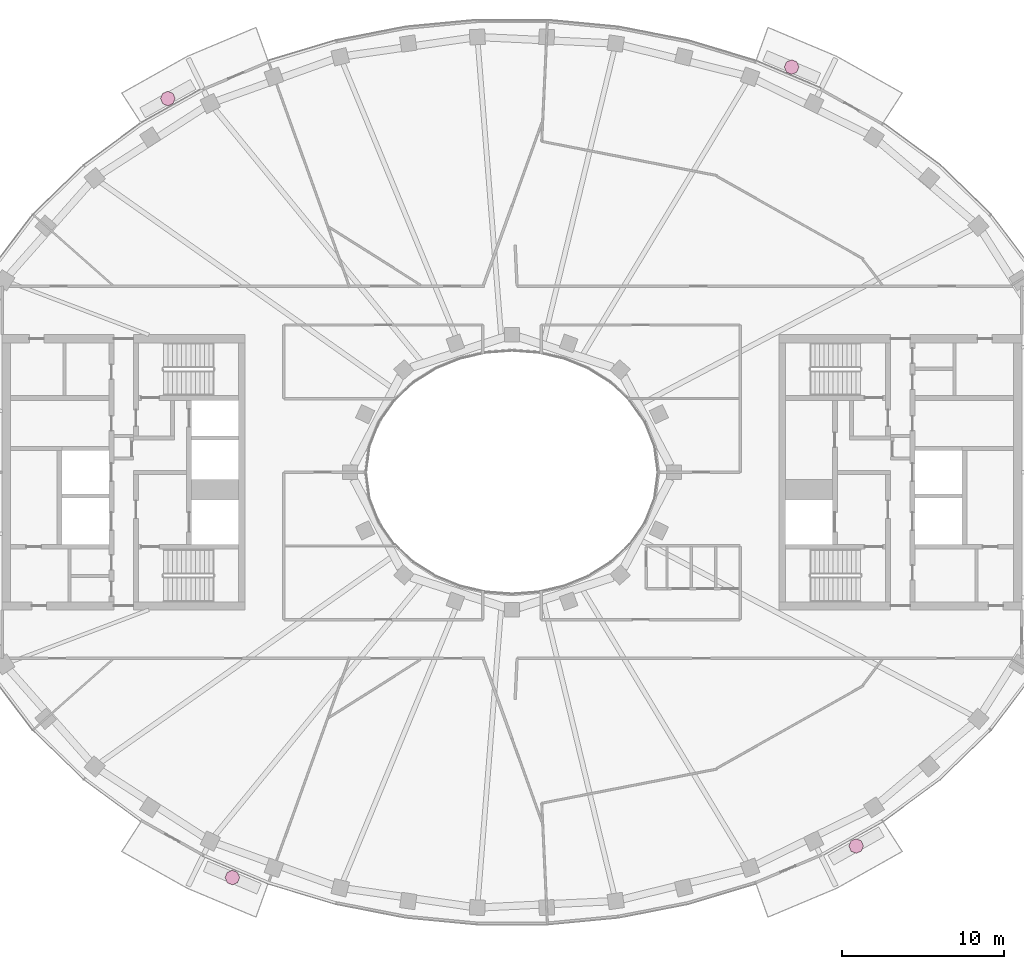
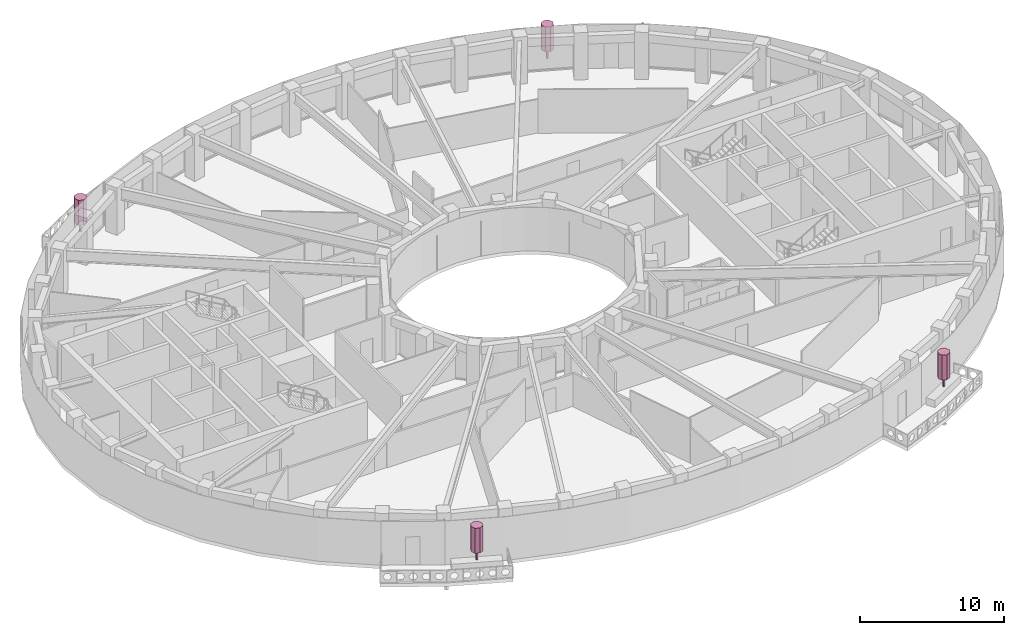
# One storey, part 15 of 15: 4 furnishings.
"""IFC4 building model written with IfcOpenShell, lengths in metres."""

import ifcopenshell
import ifcopenshell.guid

model = None  # the IFC model being written
_history = None  # IfcOwnerHistory: only IFC2X3 demands one
_inside = {}  # id of a spatial element -> (the spatial element, [elements in it])
_under = {}  # id of a project, library or spatial element -> (it, [spatial elements below it])
_declared = {}  # id of a project -> (the project, [libraries it declares])
_typed = {}  # id of a type object -> (the type object, [elements of that type])
_made_of = {}  # id of a material, layer set ... -> (it, [elements and type objects made of it])


def new_model(schema):
    """Start an empty IFC model of exactly this schema.

    Asked for "IFC4X3", IfcOpenShell would pick the latest addendum, in which some entities
    have other attributes; the version numbers below select the first issue.
    IFC2X3 requires an IfcOwnerHistory on every rooted entity: one is made here for all.
    """
    global model, _history
    if schema == "IFC4X3":
        model = ifcopenshell.file(schema_version=(4, 3, 0, 0))
    else:
        model = ifcopenshell.file(schema=schema)
    _inside.clear()
    _under.clear()
    _declared.clear()
    _typed.clear()
    _made_of.clear()
    _history = None
    if model.schema == "IFC2X3":
        org = make("IfcOrganization", Name="unknown")
        user = make(
            "IfcPersonAndOrganization",
            ThePerson=make("IfcPerson", FamilyName="unknown"),
            TheOrganization=org,
        )
        app = make(
            "IfcApplication",
            ApplicationDeveloper=org,
            Version="unknown",
            ApplicationFullName="unknown",
            ApplicationIdentifier="unknown",
        )
        _history = make(
            "IfcOwnerHistory",
            OwningUser=user,
            OwningApplication=app,
            ChangeAction="ADDED",
            CreationDate=0,
        )
    return model


def make(cls, **values):
    """One entity of the class cls with the attributes given. An attribute that is None is left unset."""
    return model.create_entity(
        cls, **{name: value for name, value in values.items() if value is not None}
    )


def rooted(cls, **values):
    """An entity with a GlobalId (a new one), such as an element, a storey or a relation."""
    return make(cls, GlobalId=ifcopenshell.guid.new(), OwnerHistory=_history, **values)


def si_unit(unit_type, name, prefix=None):
    """IfcSIUnit, for example si_unit("LENGTHUNIT", "METRE", prefix="MILLI")."""
    return make("IfcSIUnit", UnitType=unit_type, Prefix=prefix, Name=name)


def assignment(units):
    """IfcUnitAssignment: the units of a project."""
    return None if units is None else make("IfcUnitAssignment", Units=units)


def point(xyz):
    """IfcCartesianPoint."""
    return None if xyz is None else make("IfcCartesianPoint", Coordinates=xyz)


def direction(xyz):
    """IfcDirection."""
    return None if xyz is None else make("IfcDirection", DirectionRatios=xyz)


def frame(location, z_axis=None, x_axis=None):
    """IfcAxis2Placement3D, a coordinate frame: its origin and axes. An axis left out is left unset."""
    return make(
        "IfcAxis2Placement3D",
        Location=point(location),
        Axis=direction(z_axis),
        RefDirection=direction(x_axis),
    )


def frame_2d(location, x_axis=None):
    """IfcAxis2Placement2D, a coordinate frame in the plane: its origin and x axis."""
    return make(
        "IfcAxis2Placement2D", Location=point(location), RefDirection=direction(x_axis)
    )


def origin():
    """The frame at (0, 0, 0) with its axes left unset."""
    return frame((0.0, 0.0, 0.0))


def origin_2d():
    """The frame at (0, 0) in the plane with its x axis left unset."""
    return frame_2d((0.0, 0.0))


def place(relative_to, where):
    """IfcLocalPlacement: puts the frame where relative to a parent placement (None: the world)."""
    return make(
        "IfcLocalPlacement", PlacementRelTo=relative_to, RelativePlacement=where
    )


def context(
    kind, dimensions, precision=None, world=None, true_north=None, identifier=None
):
    """IfcGeometricRepresentationContext, for example the 3D "Model" context."""
    return make(
        "IfcGeometricRepresentationContext",
        ContextIdentifier=identifier,
        ContextType=kind,
        CoordinateSpaceDimension=dimensions,
        Precision=precision,
        WorldCoordinateSystem=world,
        TrueNorth=true_north,
    )


def subcontext(parent, identifier, kind, view, scale=None):
    """IfcGeometricRepresentationSubContext, for example "Body" below "Model"."""
    return make(
        "IfcGeometricRepresentationSubContext",
        ContextIdentifier=identifier,
        ContextType=kind,
        ParentContext=parent,
        TargetScale=scale,
        TargetView=view,
    )


def project(units=None, contexts=None):
    """IfcProject with its units and contexts."""
    return rooted(
        "IfcProject",
        Name="project",
        RepresentationContexts=contexts,
        UnitsInContext=assignment(units),
    )


def spatial(cls, under=None, at=None, **own):
    """A site, building, storey or space (cls), placed at a placement, below another one or the project."""
    s = rooted(cls, ObjectPlacement=at, **own)
    if under is not None:
        _under.setdefault(under.id(), (under, []))[1].append(s)
    return s


def polyline(points):
    """IfcPolyline through the points."""
    return make("IfcPolyline", Points=[point(p) for p in points])


def profile(cls, at=None, kind="AREA", **sizes):
    """A parametric profile (cls). Its sizes go by their IFC names, for example OverallWidth=200.0."""
    return make(cls, ProfileType=kind, Position=at, **sizes)


def rectangle(**sizes):
    """IfcRectangleProfileDef."""
    return profile("IfcRectangleProfileDef", **sizes)


def outline(outer, holes=None, kind="AREA"):
    """IfcArbitraryClosedProfileDef: a profile drawn as a closed curve; with holes, ...WithVoids."""
    if holes is None:
        return make("IfcArbitraryClosedProfileDef", ProfileType=kind, OuterCurve=outer)
    return make(
        "IfcArbitraryProfileDefWithVoids",
        ProfileType=kind,
        OuterCurve=outer,
        InnerCurves=holes,
    )


def extrude(swept, where, along, depth):
    """IfcExtrudedAreaSolid: the profile swept, set in the frame where, extruded along a direction by depth."""
    return make(
        "IfcExtrudedAreaSolid",
        SweptArea=swept,
        Position=where,
        ExtrudedDirection=direction(along),
        Depth=depth,
    )


def shape(context_of_items, identifier, shape_type, items):
    """IfcShapeRepresentation: the items that make up one representation, for example the "Body"."""
    return make(
        "IfcShapeRepresentation",
        ContextOfItems=context_of_items,
        RepresentationIdentifier=identifier,
        RepresentationType=shape_type,
        Items=items,
    )


def material(Name=None, Category=None):
    """IfcMaterial."""
    return make("IfcMaterial", Name=Name, Category=Category)


def made_of(thing, what):
    """Note that an element or type object is made of a material, layer set ...; save() writes the relation."""
    if what is not None:
        _made_of.setdefault(what.id(), (what, []))[1].append(thing)
    return thing


def type_object(cls, material=None, **own):
    """A type object (cls), such as IfcWallType, which elements share."""
    return made_of(rooted(cls, **own), material)


def element(
    cls,
    number,
    at=None,
    inside=None,
    cuts=None,
    type_object=None,
    material=None,
    context=None,
    identifier="Body",
    shape_type=None,
    held_by="IfcProductDefinitionShape",
    body=None,
    shapes=None,
    **own,
):
    """One element of the class cls, such as IfcWall. Its Tag is "e" and its number.

    at: its placement. inside: the storey or other place that contains it. cuts: it is an
    opening in that element (IfcRelVoidsElement). A single representation is given by context,
    identifier, shape_type and body (its items); several are given by shapes. held_by: the class
    of the entity that holds the representations. save() writes the other relations.
    """
    e = rooted(cls, Tag="e%d" % number, ObjectPlacement=at, **own)
    if body is not None:
        shapes = [shape(context, identifier, shape_type, body)]
    if shapes is not None:
        e.Representation = make(held_by, Representations=shapes)
    if inside is not None:
        _inside.setdefault(inside.id(), (inside, []))[1].append(e)
    if cuts is not None:
        rooted(
            "IfcRelVoidsElement", RelatingBuildingElement=cuts, RelatedOpeningElement=e
        )
    if type_object is not None:
        _typed.setdefault(type_object.id(), (type_object, []))[1].append(e)
    return made_of(e, material)


def aggregate(whole, parts):
    """IfcRelAggregates: a whole, such as a stair, and the parts it consists of."""
    return rooted("IfcRelAggregates", RelatingObject=whole, RelatedObjects=parts)


def save(model, path):
    """Write the relations noted so far, then the file.

    IfcRelAggregates (storeys below a building ...), IfcRelContainedInSpatialStructure (elements
    in a storey), IfcRelDefinesByType, IfcRelAssociatesMaterial and IfcRelDeclares: one each for
    every whole, place, type object, material and project.
    """
    for whole, parts in _under.values():
        aggregate(whole, parts)
    for where, things in _inside.values():
        rooted(
            "IfcRelContainedInSpatialStructure",
            RelatedElements=things,
            RelatingStructure=where,
        )
    for kind, things in _typed.values():
        rooted("IfcRelDefinesByType", RelatedObjects=things, RelatingType=kind)
    for what, things in _made_of.values():
        rooted("IfcRelAssociatesMaterial", RelatedObjects=things, RelatingMaterial=what)
    for by, libraries in _declared.values():
        rooted("IfcRelDeclares", RelatingContext=by, RelatedDefinitions=libraries)
    model.write(path)


model = new_model("IFC4")

# Units and contexts
model_context = context("Model", 3, precision=1e-05, world=origin(), true_north=direction((0.0, 1.0)))
body_context = subcontext(model_context, "Body", "Model", "MODEL_VIEW")
ifc_project = project(units=[si_unit("LENGTHUNIT", "METRE"), si_unit("AREAUNIT", "SQUARE_METRE"), si_unit("VOLUMEUNIT", "CUBIC_METRE"), si_unit("PLANEANGLEUNIT", "RADIAN"), si_unit("MASSUNIT", "GRAM", prefix="KILO")], contexts=[model_context])

# Site, building, storey
site_placement = place(None, origin())
site = spatial("IfcSite", under=ifc_project, at=site_placement, CompositionType="ELEMENT")
building_placement = place(site_placement, origin())
building = spatial("IfcBuilding", under=site, at=building_placement, Name="Noorbagh Ring Tower", CompositionType="ELEMENT")
storey_placement = place(building_placement, frame((0.0, 0.0, 307.0)))
storey = spatial("IfcBuildingStorey", under=building, at=storey_placement, Name="L66", CompositionType="ELEMENT", Elevation=307.0)

# Furnishings
ifc_material = material(Name="Planting foliage green")
furnishing_element_type = type_object("IfcFurnishingElementType", Name="ENV-TREE", material=ifc_material)
for number, where, z_axis, x_axis, name in (
    (1, (17.280517578125, 25.041259765625, 0.60009765625), (0.0, 0.0, 1.0), (1.0, 0.0, 0.0), "Tree BN02"),
    (2, (-21.26513671875, 23.093017578125, 0.60009765625), (0.0, 0.0, 1.0), (1.0, 0.0, 0.0), "Tree BN05"),
    (3, (-17.280517578125, -25.041259765625, 0.60009765625), (0.0, 0.0, 1.0), (1.0, 0.0, 0.0), "Tree BS02"),
    (4, (21.26513671875, -23.093017578125, 0.60009765625), (0.0, 0.0, 1.0), (1.0, 0.0, 0.0), "Tree BS05"),
):
    element("IfcFurnishingElement", number, at=place(storey_placement, frame(where, z_axis=z_axis, x_axis=x_axis)), inside=storey, type_object=furnishing_element_type, Name=name, context=body_context, shape_type="SweptSolid", body=[
        extrude(rectangle(XDim=0.1201171875, YDim=0.1201171875, at=origin_2d()), origin(), (0.0, 0.0, 1.0), 0.825927734375),
        extrude(outline(polyline([(0.449951171875, 0.0), (0.318115234375, 0.318115234375), (0.0, 0.449951171875), (-0.318115234375, 0.318115234375), (-0.449951171875, 0.0), (-0.318115234375, -0.318115234375), (0.0, -0.449951171875), (0.318115234375, -0.318115234375), (0.449951171875, 0.0)])), frame((0.0, 0.0, 0.825927734375)), (0.0, 0.0, 1.0), 2.1240234375),
    ])

save(model, "model.ifc")
